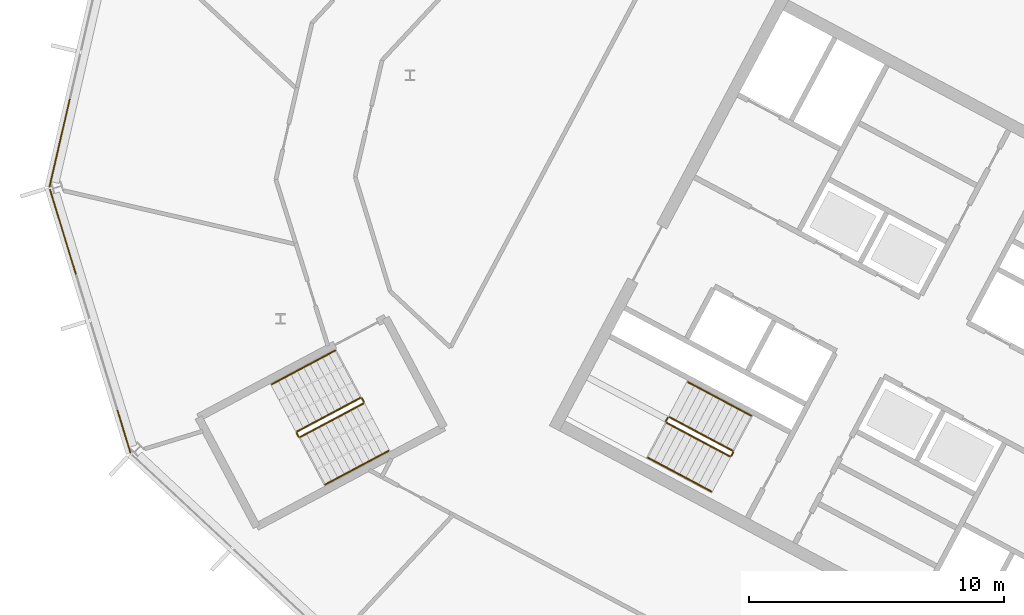
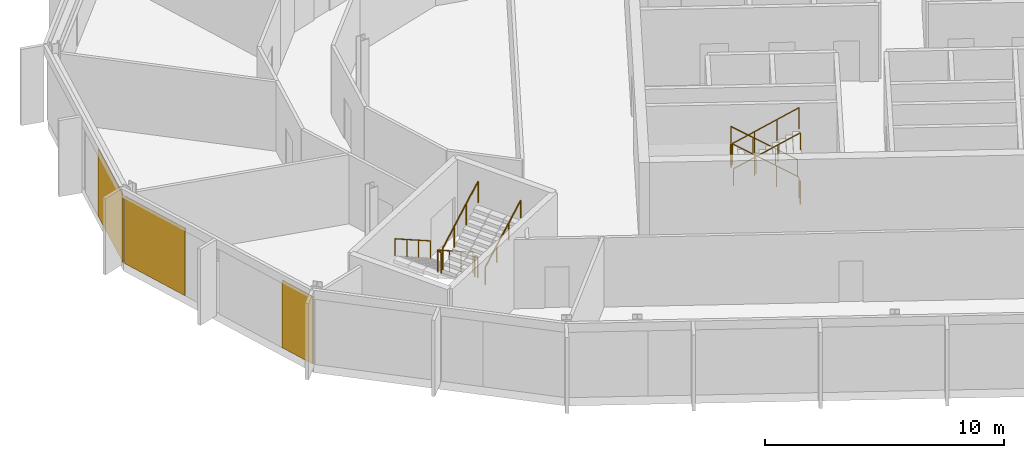
# One storey, part 23 of 30: 12 railings, 3 coverings, 2 elements without a shape of their own.
"""IFC4 building model written with IfcOpenShell, lengths in metres."""

from ifc_helpers import new_model, si_unit, direction, frame, origin, origin_2d, place, context, subcontext, project, spatial, polyline, rectangle, outline, extrude, material, layer, layer_set, type_object, element, aggregate, save


model = new_model("IFC4")

# Units and contexts
model_context = context("Model", 3, precision=1e-05, world=origin(), true_north=direction((0.0, 1.0)))
body_context = subcontext(model_context, "Body", "Model", "MODEL_VIEW")
ifc_project = project(units=[si_unit("LENGTHUNIT", "METRE"), si_unit("AREAUNIT", "SQUARE_METRE"), si_unit("VOLUMEUNIT", "CUBIC_METRE"), si_unit("PLANEANGLEUNIT", "RADIAN"), si_unit("MASSUNIT", "GRAM", prefix="KILO")], contexts=[model_context])

# Site, building, storey
site_placement = place(None, origin())
site = spatial("IfcSite", under=ifc_project, at=site_placement, CompositionType="ELEMENT")
building_placement = place(site_placement, origin())
building = spatial("IfcBuilding", under=site, at=building_placement, Name="Cormorant Relay Tower", CompositionType="ELEMENT")
storey_placement = place(building_placement, frame((0.0, 0.0, 258.0)))
storey = spatial("IfcBuildingStorey", under=building, at=storey_placement, Name="L57", CompositionType="ELEMENT", Elevation=258.0)

# Curtain wall, covering
ifc_material_1 = material(Name="Aluminium 6063-T6 anodised bronze", Category="aluminium")
ifc_layer_1 = layer(ifc_material_1, 0.199951171875)
ifc_layer_set_1 = layer_set([ifc_layer_1], Name="CW1 unitised bronze curtain wall with vertical fins")
curtain_wall_type = type_object("IfcCurtainWallType", Name="CW1 unitised bronze curtain wall with vertical fins", PredefinedType="NOTDEFINED", material=ifc_layer_set_1)
curtain_wall_1_placement = place(storey_placement, origin())
curtain_wall_1 = element("IfcCurtainWall", 1, at=curtain_wall_1_placement, inside=storey, type_object=curtain_wall_type, Name="CW1 curtain wall 13", PredefinedType="NOTDEFINED")
ifc_material_2 = material(Name="Pale bronze anodised aluminium insulated panel", Category="aluminium")
ifc_layer_2 = layer(ifc_material_2, 0.0400390625)
ifc_layer_set_2 = layer_set([ifc_layer_2], Name="CW1 pale bronze insulated panel 40")
covering_type = type_object("IfcCoveringType", Name="CW1 pale bronze insulated panel 40", PredefinedType="CLADDING", material=ifc_layer_set_2)
covering_1_placement = place(storey_placement, frame((-60.3388671875, 22.13232421875, 0.0), z_axis=(0.0, 0.0, 1.0), x_axis=(-0.224951054344, -0.974370064785, 0.0)))
covering_1 = element("IfcCovering", 2, at=covering_1_placement, type_object=covering_type, Name="CW1 panel S02", PredefinedType="CLADDING", context=body_context, shape_type="SweptSolid", body=[
    extrude(rectangle(XDim=3.560302734375, YDim=0.0400390625, at=origin_2d()), origin(), (0.0, 0.0, 1.0), 3.449951171875),
])
aggregate(curtain_wall_1, [covering_1])

# Curtain wall, coverings
curtain_wall_2_placement = place(storey_placement, origin())
curtain_wall_2 = element("IfcCurtainWall", 3, at=curtain_wall_2_placement, inside=storey, type_object=curtain_wall_type, Name="CW1 curtain wall 14", PredefinedType="NOTDEFINED")
covering_2_placement = place(storey_placement, frame((-60.20751953125, 18.6494140625, 0.0), z_axis=(0.0, 0.0, 1.0), x_axis=(0.292371704723, -0.956304755963, 0.0)))
covering_2 = element("IfcCovering", 4, at=covering_2_placement, type_object=covering_type, Name="CW1 panel S00", PredefinedType="CLADDING", context=body_context, shape_type="SweptSolid", body=[
    extrude(rectangle(XDim=3.485107421875, YDim=0.0400390625, at=origin_2d()), origin(), (0.0, 0.0, 1.0), 3.449951171875),
])
covering_3_placement = place(storey_placement, frame((-57.818115234375, 10.833740234375, 0.0), z_axis=(0.0, 0.0, 1.0), x_axis=(0.292371704723, -0.956304755963, 0.0)))
covering_3 = element("IfcCovering", 5, at=covering_3_placement, type_object=covering_type, Name="CW1 panel S03", PredefinedType="CLADDING", context=body_context, shape_type="SweptSolid", body=[
    extrude(rectangle(XDim=1.76025390625, YDim=0.0400390625, at=origin_2d()), origin(), (0.0, 0.0, 1.0), 3.449951171875),
])
aggregate(curtain_wall_2, [covering_2, covering_3])

# Railings
ifc_material_3 = material(Name="Steel ASTM A572 Grade 50 (Fy 345 MPa)", Category="steel")
railing_type_1 = type_object("IfcRailingType", Name="Stair guard 1100", PredefinedType="GUARDRAIL", material=ifc_material_3)
railing_1_placement = place(storey_placement, frame((-33.9921875, 10.08935546875, 0.17724609375)))
element("IfcRailing", 6, at=railing_1_placement, inside=storey, type_object=railing_type_1, Name="L57 A2 stair guard 1", PredefinedType="GUARDRAIL", context=body_context, shape_type="SweptSolid", body=[
    extrude(outline(polyline([(0.022216796875, 0.00927734375), (0.00927734375, 0.022216796875), (-0.00927734375, 0.022216796875), (-0.022216796875, 0.00927734375), (-0.022216796875, -0.00927734375), (-0.00927734375, -0.022216796875), (0.00927734375, -0.022216796875), (0.022216796875, -0.00927734375), (0.022216796875, 0.00927734375)])), frame((0.0, 0.0, 1.076171875), z_axis=(-0.746001213114, 0.396649272309, 0.534931345884), x_axis=(-0.469465464807, -0.882950835185, 0.0)), (0.0, 0.0, 1.0), 3.31396484375),
    extrude(outline(polyline([(0.019287109375, 0.008056640625), (0.008056640625, 0.019287109375), (-0.008056640625, 0.019287109375), (-0.019287109375, 0.008056640625), (-0.019287109375, -0.008056640625), (-0.008056640625, -0.019287109375), (0.008056640625, -0.019287109375), (0.019287109375, -0.008056640625), (0.019287109375, 0.008056640625)])), origin(), (0.0, 0.0, 1.0), 1.052001953125),
    extrude(outline(polyline([(0.019287109375, 0.008056640625), (0.008056640625, 0.019287109375), (-0.008056640625, 0.019287109375), (-0.019287109375, 0.008056640625), (-0.019287109375, -0.008056640625), (-0.008056640625, -0.019287109375), (0.008056640625, -0.019287109375), (0.019287109375, -0.008056640625), (0.019287109375, 0.008056640625)])), frame((-0.823974609375, 0.438232421875, 0.5908203125)), (0.0, 0.0, 1.0), 1.052001953125),
    extrude(outline(polyline([(0.019287109375, 0.008056640625), (0.008056640625, 0.019287109375), (-0.008056640625, 0.019287109375), (-0.019287109375, 0.008056640625), (-0.019287109375, -0.008056640625), (-0.008056640625, -0.019287109375), (0.008056640625, -0.019287109375), (0.019287109375, -0.008056640625), (0.019287109375, 0.008056640625)])), frame((-1.648193359375, 0.876220703125, 1.181884765625)), (0.0, 0.0, 1.0), 1.052001953125),
    extrude(outline(polyline([(0.019287109375, 0.008056640625), (0.008056640625, 0.019287109375), (-0.008056640625, 0.019287109375), (-0.019287109375, 0.008056640625), (-0.019287109375, -0.008056640625), (-0.008056640625, -0.019287109375), (0.008056640625, -0.019287109375), (0.019287109375, -0.008056640625), (0.019287109375, 0.008056640625)])), frame((-2.47216796875, 1.314453125, 1.772705078125)), (0.0, 0.0, 1.0), 1.052001953125),
])
railing_2_placement = place(storey_placement, frame((-36.531982421875, 11.38330078125, 1.949951171875)))
element("IfcRailing", 7, at=railing_2_placement, inside=storey, type_object=railing_type_1, Name="L57 A2 stair guard 2", PredefinedType="GUARDRAIL", context=body_context, shape_type="SweptSolid", body=[
    extrude(outline(polyline([(0.022216796875, 0.00927734375), (0.00927734375, 0.022216796875), (-0.00927734375, 0.022216796875), (-0.022216796875, 0.00927734375), (-0.022216796875, -0.00927734375), (-0.00927734375, -0.022216796875), (0.00927734375, -0.022216796875), (0.022216796875, -0.00927734375), (0.022216796875, 0.00927734375)])), frame((0.0, 0.0, 1.076171875), z_axis=(-0.469828648786, -0.882757634224, 0.0), x_axis=(0.882757634224, -0.469828648786, 0.0)), (0.0, 0.0, 1.0), 0.150146484375),
    extrude(outline(polyline([(0.019287109375, 0.008056640625), (0.008056640625, 0.019287109375), (-0.008056640625, 0.019287109375), (-0.019287109375, 0.008056640625), (-0.019287109375, -0.008056640625), (-0.008056640625, -0.019287109375), (0.008056640625, -0.019287109375), (0.019287109375, -0.008056640625), (0.019287109375, 0.008056640625)])), origin(), (0.0, 0.0, 1.0), 1.052001953125),
    extrude(outline(polyline([(0.019287109375, 0.008056640625), (0.008056640625, 0.019287109375), (-0.008056640625, 0.019287109375), (-0.019287109375, 0.008056640625), (-0.019287109375, -0.008056640625), (-0.008056640625, -0.019287109375), (0.008056640625, -0.019287109375), (0.019287109375, -0.008056640625), (0.019287109375, 0.008056640625)])), frame((-0.070556640625, -0.132568359375, 0.0)), (0.0, 0.0, 1.0), 1.052001953125),
])
railing_3_placement = place(storey_placement, frame((-36.581787109375, 11.18310546875, 2.127197265625)))
element("IfcRailing", 8, at=railing_3_placement, inside=storey, type_object=railing_type_1, Name="L57 A2 stair guard 3", PredefinedType="GUARDRAIL", context=body_context, shape_type="SweptSolid", body=[
    extrude(outline(polyline([(0.022216796875, 0.00927734375), (0.00927734375, 0.022216796875), (-0.00927734375, 0.022216796875), (-0.022216796875, 0.00927734375), (-0.022216796875, -0.00927734375), (-0.00927734375, -0.022216796875), (0.00927734375, -0.022216796875), (0.022216796875, -0.00927734375), (0.022216796875, 0.00927734375)])), frame((0.0, 0.0, 1.076171875), z_axis=(0.746001213114, -0.396649272309, 0.534931345884), x_axis=(0.469465464807, 0.882950835185, 0.0)), (0.0, 0.0, 1.0), 3.31396484375),
    extrude(outline(polyline([(0.019287109375, 0.008056640625), (0.008056640625, 0.019287109375), (-0.008056640625, 0.019287109375), (-0.019287109375, 0.008056640625), (-0.019287109375, -0.008056640625), (-0.008056640625, -0.019287109375), (0.008056640625, -0.019287109375), (0.019287109375, -0.008056640625), (0.019287109375, 0.008056640625)])), origin(), (0.0, 0.0, 1.0), 1.052001953125),
    extrude(outline(polyline([(0.019287109375, 0.008056640625), (0.008056640625, 0.019287109375), (-0.008056640625, 0.019287109375), (-0.019287109375, 0.008056640625), (-0.019287109375, -0.008056640625), (-0.008056640625, -0.019287109375), (0.008056640625, -0.019287109375), (0.019287109375, -0.008056640625), (0.019287109375, 0.008056640625)])), frame((0.823974609375, -0.438232421875, 0.5908203125)), (0.0, 0.0, 1.0), 1.052001953125),
    extrude(outline(polyline([(0.019287109375, 0.008056640625), (0.008056640625, 0.019287109375), (-0.008056640625, 0.019287109375), (-0.019287109375, 0.008056640625), (-0.019287109375, -0.008056640625), (-0.008056640625, -0.019287109375), (0.008056640625, -0.019287109375), (0.019287109375, -0.008056640625), (0.019287109375, 0.008056640625)])), frame((1.648193359375, -0.876220703125, 1.181884765625)), (0.0, 0.0, 1.0), 1.052001953125),
    extrude(outline(polyline([(0.019287109375, 0.008056640625), (0.008056640625, 0.019287109375), (-0.008056640625, 0.019287109375), (-0.019287109375, 0.008056640625), (-0.019287109375, -0.008056640625), (-0.008056640625, -0.019287109375), (0.008056640625, -0.019287109375), (0.019287109375, -0.008056640625), (0.019287109375, 0.008056640625)])), frame((2.47216796875, -1.314453125, 1.772705078125)), (0.0, 0.0, 1.0), 1.052001953125),
])
railing_4_placement = place(storey_placement, frame((-33.971435546875, 10.021728515625, 0.0)))
element("IfcRailing", 9, at=railing_4_placement, inside=storey, type_object=railing_type_1, Name="L57 A2 stair guard 4", PredefinedType="GUARDRAIL", context=body_context, shape_type="SweptSolid", body=[
    extrude(outline(polyline([(0.022216796875, 0.00927734375), (0.00927734375, 0.022216796875), (-0.00927734375, 0.022216796875), (-0.022216796875, 0.00927734375), (-0.022216796875, -0.00927734375), (-0.00927734375, -0.022216796875), (0.00927734375, -0.022216796875), (0.022216796875, -0.00927734375), (0.022216796875, 0.00927734375)])), frame((0.0, 0.0, 1.076171875), z_axis=(-0.470503732759, -0.882398003998, 0.0), x_axis=(0.882398003998, -0.470503732759, 0.0)), (0.0, 0.0, 1.0), 0.14990234375),
    extrude(outline(polyline([(0.019287109375, 0.008056640625), (0.008056640625, 0.019287109375), (-0.008056640625, 0.019287109375), (-0.019287109375, 0.008056640625), (-0.019287109375, -0.008056640625), (-0.008056640625, -0.019287109375), (0.008056640625, -0.019287109375), (0.019287109375, -0.008056640625), (0.019287109375, 0.008056640625)])), origin(), (0.0, 0.0, 1.0), 1.052001953125),
    extrude(outline(polyline([(0.019287109375, 0.008056640625), (0.008056640625, 0.019287109375), (-0.008056640625, 0.019287109375), (-0.019287109375, 0.008056640625), (-0.019287109375, -0.008056640625), (-0.008056640625, -0.019287109375), (0.008056640625, -0.019287109375), (0.019287109375, -0.008056640625), (0.019287109375, 0.008056640625)])), frame((-0.070556640625, -0.13232421875, 0.0)), (0.0, 0.0, 1.0), 1.052001953125),
])
railing_5_placement = place(storey_placement, frame((-48.5693359375, 12.155517578125, 0.17724609375)))
element("IfcRailing", 10, at=railing_5_placement, inside=storey, type_object=railing_type_1, Name="L57 RP1 stair guard 1", PredefinedType="GUARDRAIL", context=body_context, shape_type="SweptSolid", body=[
    extrude(outline(polyline([(0.022216796875, 0.00927734375), (0.00927734375, 0.022216796875), (-0.00927734375, 0.022216796875), (-0.022216796875, 0.00927734375), (-0.022216796875, -0.00927734375), (-0.00927734375, -0.022216796875), (0.00927734375, -0.022216796875), (0.022216796875, -0.00927734375), (0.022216796875, 0.00927734375)])), frame((0.0, 0.0, 1.076171875), z_axis=(-0.746012083385, -0.396689549623, 0.534886317514), x_axis=(0.469497295046, -0.882933910293, 0.0)), (0.0, 0.0, 1.0), 3.314208984375),
    extrude(outline(polyline([(0.019287109375, 0.008056640625), (0.008056640625, 0.019287109375), (-0.008056640625, 0.019287109375), (-0.019287109375, 0.008056640625), (-0.019287109375, -0.008056640625), (-0.008056640625, -0.019287109375), (0.008056640625, -0.019287109375), (0.019287109375, -0.008056640625), (0.019287109375, 0.008056640625)])), origin(), (0.0, 0.0, 1.0), 1.052001953125),
    extrude(outline(polyline([(0.019287109375, 0.008056640625), (0.008056640625, 0.019287109375), (-0.008056640625, 0.019287109375), (-0.019287109375, 0.008056640625), (-0.019287109375, -0.008056640625), (-0.008056640625, -0.019287109375), (0.008056640625, -0.019287109375), (0.019287109375, -0.008056640625), (0.019287109375, 0.008056640625)])), frame((-0.82421875, -0.438232421875, 0.5908203125)), (0.0, 0.0, 1.0), 1.052001953125),
    extrude(outline(polyline([(0.019287109375, 0.008056640625), (0.008056640625, 0.019287109375), (-0.008056640625, 0.019287109375), (-0.019287109375, 0.008056640625), (-0.019287109375, -0.008056640625), (-0.008056640625, -0.019287109375), (0.008056640625, -0.019287109375), (0.019287109375, -0.008056640625), (0.019287109375, 0.008056640625)])), frame((-1.648193359375, -0.87646484375, 1.181884765625)), (0.0, 0.0, 1.0), 1.052001953125),
    extrude(outline(polyline([(0.019287109375, 0.008056640625), (0.008056640625, 0.019287109375), (-0.008056640625, 0.019287109375), (-0.019287109375, 0.008056640625), (-0.019287109375, -0.008056640625), (-0.008056640625, -0.019287109375), (0.008056640625, -0.019287109375), (0.019287109375, -0.008056640625), (0.019287109375, 0.008056640625)])), frame((-2.472412109375, -1.314697265625, 1.772705078125)), (0.0, 0.0, 1.0), 1.052001953125),
])
railing_6_placement = place(storey_placement, frame((-51.062255859375, 10.773193359375, 1.949951171875)))
element("IfcRailing", 11, at=railing_6_placement, inside=storey, type_object=railing_type_1, Name="L57 RP1 stair guard 2", PredefinedType="GUARDRAIL", context=body_context, shape_type="SweptSolid", body=[
    extrude(outline(polyline([(0.022216796875, 0.00927734375), (0.00927734375, 0.022216796875), (-0.00927734375, 0.022216796875), (-0.022216796875, 0.00927734375), (-0.022216796875, -0.00927734375), (-0.00927734375, -0.022216796875), (0.00927734375, -0.022216796875), (0.022216796875, -0.00927734375), (0.022216796875, 0.00927734375)])), frame((0.0, 0.0, 1.076171875), z_axis=(0.469234640946, -0.883073525669, 0.0), x_axis=(0.883073525669, 0.469234640946, 0.0)), (0.0, 0.0, 1.0), 0.14990234375),
    extrude(outline(polyline([(0.019287109375, 0.008056640625), (0.008056640625, 0.019287109375), (-0.008056640625, 0.019287109375), (-0.019287109375, 0.008056640625), (-0.019287109375, -0.008056640625), (-0.008056640625, -0.019287109375), (0.008056640625, -0.019287109375), (0.019287109375, -0.008056640625), (0.019287109375, 0.008056640625)])), origin(), (0.0, 0.0, 1.0), 1.052001953125),
    extrude(outline(polyline([(0.019287109375, 0.008056640625), (0.008056640625, 0.019287109375), (-0.008056640625, 0.019287109375), (-0.019287109375, 0.008056640625), (-0.019287109375, -0.008056640625), (-0.008056640625, -0.019287109375), (0.008056640625, -0.019287109375), (0.019287109375, -0.008056640625), (0.019287109375, 0.008056640625)])), frame((0.0703125, -0.13232421875, 0.0)), (0.0, 0.0, 1.0), 1.052001953125),
])
railing_7_placement = place(storey_placement, frame((-50.92431640625, 10.6201171875, 2.127197265625)))
element("IfcRailing", 12, at=railing_7_placement, inside=storey, type_object=railing_type_1, Name="L57 RP1 stair guard 3", PredefinedType="GUARDRAIL", context=body_context, shape_type="SweptSolid", body=[
    extrude(outline(polyline([(0.022216796875, 0.00927734375), (0.00927734375, 0.022216796875), (-0.00927734375, 0.022216796875), (-0.022216796875, 0.00927734375), (-0.022216796875, -0.00927734375), (-0.00927734375, -0.022216796875), (0.00927734375, -0.022216796875), (0.022216796875, -0.00927734375), (0.022216796875, 0.00927734375)])), frame((0.0, 0.0, 1.076171875), z_axis=(0.746033882577, 0.396627473466, 0.534901947407), x_axis=(-0.469429322983, 0.882970050864, 0.0)), (0.0, 0.0, 1.0), 3.31396484375),
    extrude(outline(polyline([(0.019287109375, 0.008056640625), (0.008056640625, 0.019287109375), (-0.008056640625, 0.019287109375), (-0.019287109375, 0.008056640625), (-0.019287109375, -0.008056640625), (-0.008056640625, -0.019287109375), (0.008056640625, -0.019287109375), (0.019287109375, -0.008056640625), (0.019287109375, 0.008056640625)])), origin(), (0.0, 0.0, 1.0), 1.052001953125),
    extrude(outline(polyline([(0.019287109375, 0.008056640625), (0.008056640625, 0.019287109375), (-0.008056640625, 0.019287109375), (-0.019287109375, 0.008056640625), (-0.019287109375, -0.008056640625), (-0.008056640625, -0.019287109375), (0.008056640625, -0.019287109375), (0.019287109375, -0.008056640625), (0.019287109375, 0.008056640625)])), frame((0.82421875, 0.438232421875, 0.5908203125)), (0.0, 0.0, 1.0), 1.052001953125),
    extrude(outline(polyline([(0.019287109375, 0.008056640625), (0.008056640625, 0.019287109375), (-0.008056640625, 0.019287109375), (-0.019287109375, 0.008056640625), (-0.019287109375, -0.008056640625), (-0.008056640625, -0.019287109375), (0.008056640625, -0.019287109375), (0.019287109375, -0.008056640625), (0.019287109375, 0.008056640625)])), frame((1.648193359375, 0.876220703125, 1.181884765625)), (0.0, 0.0, 1.0), 1.052001953125),
    extrude(outline(polyline([(0.019287109375, 0.008056640625), (0.008056640625, 0.019287109375), (-0.008056640625, 0.019287109375), (-0.019287109375, 0.008056640625), (-0.019287109375, -0.008056640625), (-0.008056640625, -0.019287109375), (0.008056640625, -0.019287109375), (0.019287109375, -0.008056640625), (0.019287109375, 0.008056640625)])), frame((2.472412109375, 1.314453125, 1.772705078125)), (0.0, 0.0, 1.0), 1.052001953125),
])
railing_8_placement = place(storey_placement, frame((-48.501708984375, 12.134765625, 0.0)))
element("IfcRailing", 13, at=railing_8_placement, inside=storey, type_object=railing_type_1, Name="L57 RP1 stair guard 4", PredefinedType="GUARDRAIL", context=body_context, shape_type="SweptSolid", body=[
    extrude(outline(polyline([(0.022216796875, 0.00927734375), (0.00927734375, 0.022216796875), (-0.00927734375, 0.022216796875), (-0.022216796875, 0.00927734375), (-0.022216796875, -0.00927734375), (-0.00927734375, -0.022216796875), (0.00927734375, -0.022216796875), (0.022216796875, -0.00927734375), (0.022216796875, 0.00927734375)])), frame((0.0, 0.0, 1.076171875), z_axis=(0.46856034887, -0.8834314911, 0.0), x_axis=(0.8834314911, 0.46856034887, 0.0)), (0.0, 0.0, 1.0), 0.150146484375),
    extrude(outline(polyline([(0.019287109375, 0.008056640625), (0.008056640625, 0.019287109375), (-0.008056640625, 0.019287109375), (-0.019287109375, 0.008056640625), (-0.019287109375, -0.008056640625), (-0.008056640625, -0.019287109375), (0.008056640625, -0.019287109375), (0.019287109375, -0.008056640625), (0.019287109375, 0.008056640625)])), origin(), (0.0, 0.0, 1.0), 1.052001953125),
    extrude(outline(polyline([(0.019287109375, 0.008056640625), (0.008056640625, 0.019287109375), (-0.008056640625, 0.019287109375), (-0.019287109375, 0.008056640625), (-0.019287109375, -0.008056640625), (-0.008056640625, -0.019287109375), (0.008056640625, -0.019287109375), (0.019287109375, -0.008056640625), (0.019287109375, 0.008056640625)])), frame((0.0703125, -0.132568359375, 0.0)), (0.0, 0.0, 1.0), 1.052001953125),
])
ifc_material_4 = material(Name="Steel ASTM A572 Grade 50 (Fy 345 MPa)", Category="steel")
railing_type_2 = type_object("IfcRailingType", Name="Stair handrail 900", PredefinedType="HANDRAIL", material=ifc_material_4)
railing_9_placement = place(storey_placement, frame((-33.264404296875, 11.4580078125, 0.17724609375)))
element("IfcRailing", 14, at=railing_9_placement, inside=storey, type_object=railing_type_2, Name="L57 A2 stair handrail 1", PredefinedType="HANDRAIL", context=body_context, shape_type="SweptSolid", body=[
    extrude(outline(polyline([(0.022216796875, 0.00927734375), (0.00927734375, 0.022216796875), (-0.00927734375, 0.022216796875), (-0.022216796875, 0.00927734375), (-0.022216796875, -0.00927734375), (-0.00927734375, -0.022216796875), (0.00927734375, -0.022216796875), (0.022216796875, -0.00927734375), (0.022216796875, 0.00927734375)])), frame((0.0, 0.0, 0.8759765625), z_axis=(-0.746033882577, 0.396627473466, 0.534901947407), x_axis=(-0.469429322983, -0.882970050864, 0.0)), (0.0, 0.0, 1.0), 3.31396484375),
    extrude(outline(polyline([(0.019287109375, 0.008056640625), (0.008056640625, 0.019287109375), (-0.008056640625, 0.019287109375), (-0.019287109375, 0.008056640625), (-0.019287109375, -0.008056640625), (-0.008056640625, -0.019287109375), (0.008056640625, -0.019287109375), (0.019287109375, -0.008056640625), (0.019287109375, 0.008056640625)])), origin(), (0.0, 0.0, 1.0), 0.851806640625),
    extrude(outline(polyline([(0.019287109375, 0.008056640625), (0.008056640625, 0.019287109375), (-0.008056640625, 0.019287109375), (-0.019287109375, 0.008056640625), (-0.019287109375, -0.008056640625), (-0.008056640625, -0.019287109375), (0.008056640625, -0.019287109375), (0.019287109375, -0.008056640625), (0.019287109375, 0.008056640625)])), frame((-0.82421875, 0.438232421875, 0.5908203125)), (0.0, 0.0, 1.0), 0.851806640625),
    extrude(outline(polyline([(0.019287109375, 0.008056640625), (0.008056640625, 0.019287109375), (-0.008056640625, 0.019287109375), (-0.019287109375, 0.008056640625), (-0.019287109375, -0.008056640625), (-0.008056640625, -0.019287109375), (0.008056640625, -0.019287109375), (0.019287109375, -0.008056640625), (0.019287109375, 0.008056640625)])), frame((-1.648193359375, 0.876220703125, 1.181884765625)), (0.0, 0.0, 1.0), 0.851806640625),
    extrude(outline(polyline([(0.019287109375, 0.008056640625), (0.008056640625, 0.019287109375), (-0.008056640625, 0.019287109375), (-0.019287109375, 0.008056640625), (-0.019287109375, -0.008056640625), (-0.008056640625, -0.019287109375), (0.008056640625, -0.019287109375), (0.019287109375, -0.008056640625), (0.019287109375, 0.008056640625)])), frame((-2.472412109375, 1.314453125, 1.772705078125)), (0.0, 0.0, 1.0), 0.851806640625),
])
railing_10_placement = place(storey_placement, frame((-37.3095703125, 9.814453125, 2.127197265625)))
element("IfcRailing", 15, at=railing_10_placement, inside=storey, type_object=railing_type_2, Name="L57 A2 stair handrail 2", PredefinedType="HANDRAIL", context=body_context, shape_type="SweptSolid", body=[
    extrude(outline(polyline([(0.022216796875, 0.00927734375), (0.00927734375, 0.022216796875), (-0.00927734375, 0.022216796875), (-0.022216796875, 0.00927734375), (-0.022216796875, -0.00927734375), (-0.00927734375, -0.022216796875), (0.00927734375, -0.022216796875), (0.022216796875, -0.00927734375), (0.022216796875, 0.00927734375)])), frame((0.0, 0.0, 0.8759765625), z_axis=(0.746033882577, -0.396627473466, 0.534901947407), x_axis=(0.469429322983, 0.882970050864, 0.0)), (0.0, 0.0, 1.0), 3.31396484375),
    extrude(outline(polyline([(0.019287109375, 0.008056640625), (0.008056640625, 0.019287109375), (-0.008056640625, 0.019287109375), (-0.019287109375, 0.008056640625), (-0.019287109375, -0.008056640625), (-0.008056640625, -0.019287109375), (0.008056640625, -0.019287109375), (0.019287109375, -0.008056640625), (0.019287109375, 0.008056640625)])), origin(), (0.0, 0.0, 1.0), 0.851806640625),
    extrude(outline(polyline([(0.019287109375, 0.008056640625), (0.008056640625, 0.019287109375), (-0.008056640625, 0.019287109375), (-0.019287109375, 0.008056640625), (-0.019287109375, -0.008056640625), (-0.008056640625, -0.019287109375), (0.008056640625, -0.019287109375), (0.019287109375, -0.008056640625), (0.019287109375, 0.008056640625)])), frame((0.82421875, -0.438232421875, 0.5908203125)), (0.0, 0.0, 1.0), 0.851806640625),
    extrude(outline(polyline([(0.019287109375, 0.008056640625), (0.008056640625, 0.019287109375), (-0.008056640625, 0.019287109375), (-0.019287109375, 0.008056640625), (-0.019287109375, -0.008056640625), (-0.008056640625, -0.019287109375), (0.008056640625, -0.019287109375), (0.019287109375, -0.008056640625), (0.019287109375, 0.008056640625)])), frame((1.648193359375, -0.876220703125, 1.181884765625)), (0.0, 0.0, 1.0), 0.851806640625),
    extrude(outline(polyline([(0.019287109375, 0.008056640625), (0.008056640625, 0.019287109375), (-0.008056640625, 0.019287109375), (-0.019287109375, 0.008056640625), (-0.019287109375, -0.008056640625), (-0.008056640625, -0.019287109375), (0.008056640625, -0.019287109375), (0.019287109375, -0.008056640625), (0.019287109375, 0.008056640625)])), frame((2.472412109375, -1.314453125, 1.772705078125)), (0.0, 0.0, 1.0), 0.851806640625),
])
railing_11_placement = place(storey_placement, frame((-49.55517578125, 14.009521484375, 0.17724609375)))
element("IfcRailing", 16, at=railing_11_placement, inside=storey, type_object=railing_type_2, Name="L57 RP1 stair handrail 1", PredefinedType="HANDRAIL", context=body_context, shape_type="SweptSolid", body=[
    extrude(outline(polyline([(0.022216796875, 0.00927734375), (0.00927734375, 0.022216796875), (-0.00927734375, 0.022216796875), (-0.022216796875, 0.00927734375), (-0.022216796875, -0.00927734375), (-0.00927734375, -0.022216796875), (0.00927734375, -0.022216796875), (0.022216796875, -0.00927734375), (0.022216796875, 0.00927734375)])), frame((0.0, 0.0, 0.8759765625), z_axis=(-0.746033882577, -0.396627473466, 0.534901947407), x_axis=(0.469429322983, -0.882970050864, 0.0)), (0.0, 0.0, 1.0), 3.31396484375),
    extrude(outline(polyline([(0.019287109375, 0.008056640625), (0.008056640625, 0.019287109375), (-0.008056640625, 0.019287109375), (-0.019287109375, 0.008056640625), (-0.019287109375, -0.008056640625), (-0.008056640625, -0.019287109375), (0.008056640625, -0.019287109375), (0.019287109375, -0.008056640625), (0.019287109375, 0.008056640625)])), origin(), (0.0, 0.0, 1.0), 0.851806640625),
    extrude(outline(polyline([(0.019287109375, 0.008056640625), (0.008056640625, 0.019287109375), (-0.008056640625, 0.019287109375), (-0.019287109375, 0.008056640625), (-0.019287109375, -0.008056640625), (-0.008056640625, -0.019287109375), (0.008056640625, -0.019287109375), (0.019287109375, -0.008056640625), (0.019287109375, 0.008056640625)])), frame((-0.82421875, -0.438232421875, 0.5908203125)), (0.0, 0.0, 1.0), 0.851806640625),
    extrude(outline(polyline([(0.019287109375, 0.008056640625), (0.008056640625, 0.019287109375), (-0.008056640625, 0.019287109375), (-0.019287109375, 0.008056640625), (-0.019287109375, -0.008056640625), (-0.008056640625, -0.019287109375), (0.008056640625, -0.019287109375), (0.019287109375, -0.008056640625), (0.019287109375, 0.008056640625)])), frame((-1.648193359375, -0.876220703125, 1.181884765625)), (0.0, 0.0, 1.0), 0.851806640625),
    extrude(outline(polyline([(0.019287109375, 0.008056640625), (0.008056640625, 0.019287109375), (-0.008056640625, 0.019287109375), (-0.019287109375, 0.008056640625), (-0.019287109375, -0.008056640625), (-0.008056640625, -0.019287109375), (0.008056640625, -0.019287109375), (0.019287109375, -0.008056640625), (0.019287109375, 0.008056640625)])), frame((-2.472412109375, -1.314453125, 1.772705078125)), (0.0, 0.0, 1.0), 0.851806640625),
])
railing_12_placement = place(storey_placement, frame((-49.9384765625, 8.765869140625, 2.127197265625)))
element("IfcRailing", 17, at=railing_12_placement, inside=storey, type_object=railing_type_2, Name="L57 RP1 stair handrail 2", PredefinedType="HANDRAIL", context=body_context, shape_type="SweptSolid", body=[
    extrude(outline(polyline([(0.022216796875, 0.00927734375), (0.00927734375, 0.022216796875), (-0.00927734375, 0.022216796875), (-0.022216796875, 0.00927734375), (-0.022216796875, -0.00927734375), (-0.00927734375, -0.022216796875), (0.00927734375, -0.022216796875), (0.022216796875, -0.00927734375), (0.022216796875, 0.00927734375)])), frame((0.0, 0.0, 0.8759765625), z_axis=(0.746012083385, 0.396689549623, 0.534886317514), x_axis=(-0.469497295046, 0.882933910293, 0.0)), (0.0, 0.0, 1.0), 3.314208984375),
    extrude(outline(polyline([(0.019287109375, 0.008056640625), (0.008056640625, 0.019287109375), (-0.008056640625, 0.019287109375), (-0.019287109375, 0.008056640625), (-0.019287109375, -0.008056640625), (-0.008056640625, -0.019287109375), (0.008056640625, -0.019287109375), (0.019287109375, -0.008056640625), (0.019287109375, 0.008056640625)])), origin(), (0.0, 0.0, 1.0), 0.851806640625),
    extrude(outline(polyline([(0.019287109375, 0.008056640625), (0.008056640625, 0.019287109375), (-0.008056640625, 0.019287109375), (-0.019287109375, 0.008056640625), (-0.019287109375, -0.008056640625), (-0.008056640625, -0.019287109375), (0.008056640625, -0.019287109375), (0.019287109375, -0.008056640625), (0.019287109375, 0.008056640625)])), frame((0.82421875, 0.438232421875, 0.5908203125)), (0.0, 0.0, 1.0), 0.851806640625),
    extrude(outline(polyline([(0.019287109375, 0.008056640625), (0.008056640625, 0.019287109375), (-0.008056640625, 0.019287109375), (-0.019287109375, 0.008056640625), (-0.019287109375, -0.008056640625), (-0.008056640625, -0.019287109375), (0.008056640625, -0.019287109375), (0.019287109375, -0.008056640625), (0.019287109375, 0.008056640625)])), frame((1.648193359375, 0.87646484375, 1.181884765625)), (0.0, 0.0, 1.0), 0.851806640625),
    extrude(outline(polyline([(0.019287109375, 0.008056640625), (0.008056640625, 0.019287109375), (-0.008056640625, 0.019287109375), (-0.019287109375, 0.008056640625), (-0.019287109375, -0.008056640625), (-0.008056640625, -0.019287109375), (0.008056640625, -0.019287109375), (0.019287109375, -0.008056640625), (0.019287109375, 0.008056640625)])), frame((2.472412109375, 1.314697265625, 1.772705078125)), (0.0, 0.0, 1.0), 0.851806640625),
])

save(model, "model.ifc")
